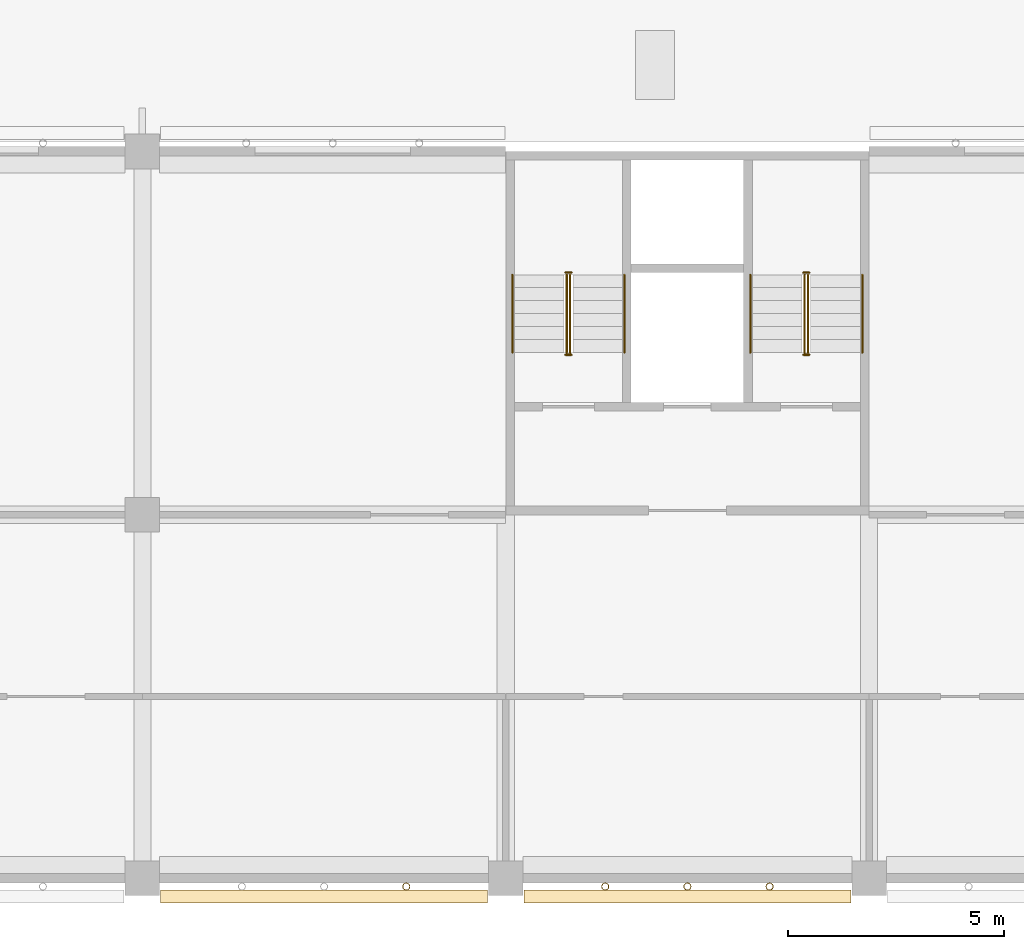
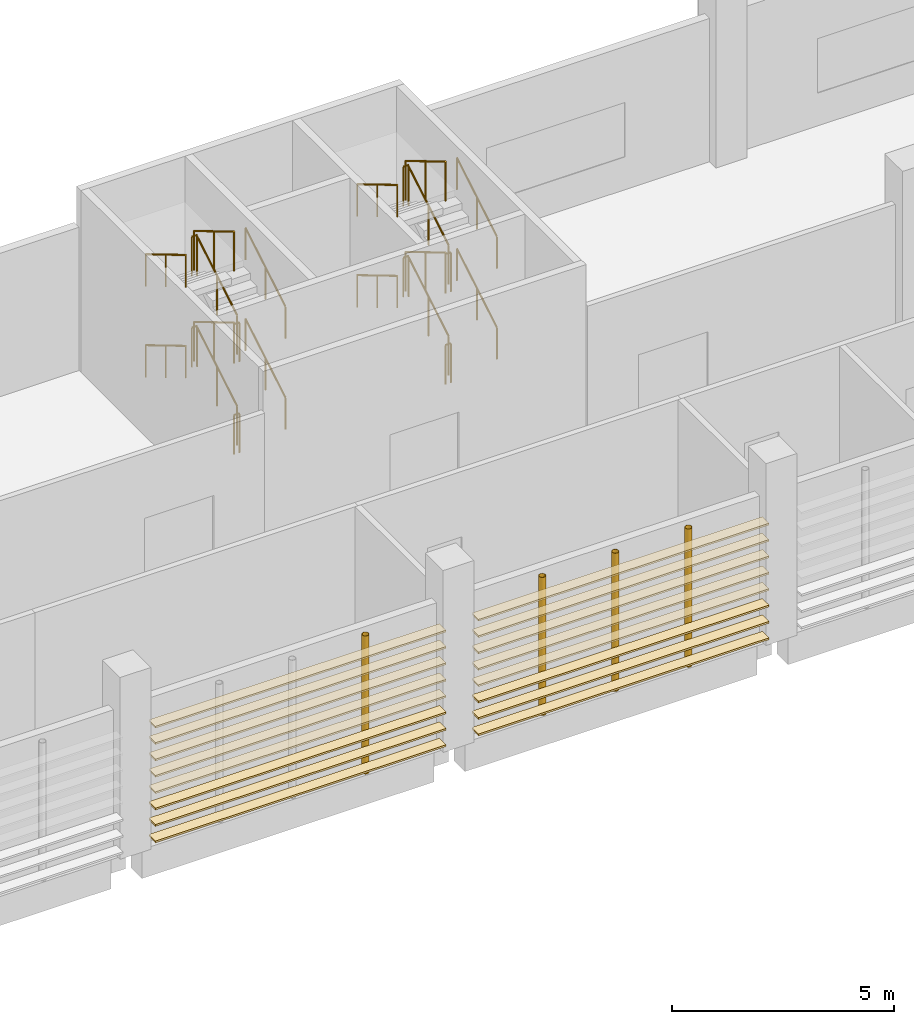
# One storey, part 64 of 101: 24 railings, 16 coverings, 4 shading devices.
"""IFC4 building model written with IfcOpenShell, lengths in metres."""

from ifc_helpers import new_model, si_unit, direction, frame, origin, origin_2d, place, context, subcontext, project, spatial, rectangle, circle, hollow_circle, extrude, material, material_profile, profile_set, type_object, element, save


model = new_model("IFC4")

# Units and contexts
model_context = context("Model", 3, precision=1e-05, world=origin(), true_north=direction((0.0, 1.0)))
body_context = subcontext(model_context, "Body", "Model", "MODEL_VIEW")
ifc_project = project(units=[si_unit("LENGTHUNIT", "METRE"), si_unit("AREAUNIT", "SQUARE_METRE"), si_unit("VOLUMEUNIT", "CUBIC_METRE"), si_unit("PLANEANGLEUNIT", "RADIAN"), si_unit("MASSUNIT", "GRAM", prefix="KILO")], contexts=[model_context])

# Site, building, storey
site_placement = place(None, origin())
site = spatial("IfcSite", under=ifc_project, at=site_placement, CompositionType="ELEMENT")
building_placement = place(site_placement, origin())
building = spatial("IfcBuilding", under=site, at=building_placement, Name="Almond Square Museum", CompositionType="ELEMENT")
storey_placement = place(building_placement, frame((0.0, 0.0, 5.5)))
storey = spatial("IfcBuildingStorey", under=building, at=storey_placement, Name="L01", CompositionType="ELEMENT", Elevation=5.5)

# Shading devices
ifc_material_1 = material(Name="Structural steel S355", Category="steel")
ifc_material_profile_1 = material_profile(ifc_material_1, hollow_circle(Radius=0.084228515625, WallThickness=0.008056640625, at=origin_2d()))
ifc_profile_set_1 = profile_set([ifc_material_profile_1], Name="Structural steel S355")
shading_device_type = type_object("IfcShadingDeviceType", Name="Louvre post CHS 168.3 x 8", PredefinedType="USERDEFINED", material=ifc_profile_set_1)
for number, where, z_axis, x_axis, name in (
    (1, (54.10009765625, -0.194091796875, 0.0), (0.0, 0.0, 1.0), (1.0, 0.0, 0.0), "Louvre screen post"),
    (2, (58.699951171875, -0.194091796875, 0.0), (0.0, 0.0, 1.0), (1.0, 0.0, 0.0), "Louvre screen post"),
    (3, (60.60009765625, -0.194091796875, 0.0), (0.0, 0.0, 1.0), (1.0, 0.0, 0.0), "Louvre screen post"),
    (4, (62.5, -0.194091796875, 0.0), (0.0, 0.0, 1.0), (1.0, 0.0, 0.0), "Louvre screen post"),
):
    element("IfcShadingDevice", number, at=place(storey_placement, frame(where, z_axis=z_axis, x_axis=x_axis)), inside=storey, type_object=shading_device_type, Name=name, ObjectType="POST", PredefinedType="USERDEFINED", context=body_context, shape_type="SweptSolid", body=[
        extrude(hollow_circle(Radius=0.084228515625, WallThickness=0.008056640625, at=origin_2d()), origin(), (0.0, 0.0, 1.0), 3.800048828125),
    ])

# Coverings
ifc_material_2 = material(Name="Cedar timber louvre board", Category="wood")
ifc_material_profile_2 = material_profile(ifc_material_2, rectangle(XDim=0.300048828125, YDim=0.050048828125, at=origin_2d()))
ifc_profile_set_2 = profile_set([ifc_material_profile_2], Name="Cedar timber louvre board")
covering_type = type_object("IfcCoveringType", Name="Louvre screen board 300 x 50", PredefinedType="CLADDING", material=ifc_profile_set_2)
for number, where, z_axis, x_axis, name in (
    (5, (48.419921875, -0.42431640625, 0.300048828125), (1.0, 0.0, 0.0), (0.0, 1.0, 0.0), "Louvre screen board"),
    (6, (48.419921875, -0.42431640625, 0.75), (1.0, 0.0, 0.0), (0.0, 1.0, 0.0), "Louvre screen board"),
    (7, (48.419921875, -0.42431640625, 1.199951171875), (1.0, 0.0, 0.0), (0.0, 1.0, 0.0), "Louvre screen board"),
    (8, (48.419921875, -0.42431640625, 1.64990234375), (1.0, 0.0, 0.0), (0.0, 1.0, 0.0), "Louvre screen board"),
    (9, (48.419921875, -0.42431640625, 2.10009765625), (1.0, 0.0, 0.0), (0.0, 1.0, 0.0), "Louvre screen board"),
    (10, (48.419921875, -0.42431640625, 2.550048828125), (1.0, 0.0, 0.0), (0.0, 1.0, 0.0), "Louvre screen board"),
    (11, (48.419921875, -0.42431640625, 3.0), (1.0, 0.0, 0.0), (0.0, 1.0, 0.0), "Louvre screen board"),
    (12, (48.419921875, -0.42431640625, 3.449951171875), (1.0, 0.0, 0.0), (0.0, 1.0, 0.0), "Louvre screen board"),
):
    element("IfcCovering", number, at=place(storey_placement, frame(where, z_axis=z_axis, x_axis=x_axis)), inside=storey, type_object=covering_type, Name=name, PredefinedType="CLADDING", context=body_context, shape_type="SweptSolid", body=[
        extrude(rectangle(XDim=0.300048828125, YDim=0.050048828125, at=origin_2d()), origin(), (0.0, 0.0, 1.0), 7.56005859375),
    ])
for number, where, z_axis, x_axis, name in (
    (13, (56.820068359375, -0.42431640625, 0.300048828125), (1.0, 0.0, 0.0), (0.0, 1.0, 0.0), "Louvre screen board"),
    (14, (56.820068359375, -0.42431640625, 0.75), (1.0, 0.0, 0.0), (0.0, 1.0, 0.0), "Louvre screen board"),
    (15, (56.820068359375, -0.42431640625, 1.199951171875), (1.0, 0.0, 0.0), (0.0, 1.0, 0.0), "Louvre screen board"),
    (16, (56.820068359375, -0.42431640625, 1.64990234375), (1.0, 0.0, 0.0), (0.0, 1.0, 0.0), "Louvre screen board"),
    (17, (56.820068359375, -0.42431640625, 2.10009765625), (1.0, 0.0, 0.0), (0.0, 1.0, 0.0), "Louvre screen board"),
    (18, (56.820068359375, -0.42431640625, 2.550048828125), (1.0, 0.0, 0.0), (0.0, 1.0, 0.0), "Louvre screen board"),
    (19, (56.820068359375, -0.42431640625, 3.0), (1.0, 0.0, 0.0), (0.0, 1.0, 0.0), "Louvre screen board"),
    (20, (56.820068359375, -0.42431640625, 3.449951171875), (1.0, 0.0, 0.0), (0.0, 1.0, 0.0), "Louvre screen board"),
):
    element("IfcCovering", number, at=place(storey_placement, frame(where, z_axis=z_axis, x_axis=x_axis)), inside=storey, type_object=covering_type, Name=name, PredefinedType="CLADDING", context=body_context, shape_type="SweptSolid", body=[
        extrude(rectangle(XDim=0.300048828125, YDim=0.050048828125, at=origin_2d()), origin(), (0.0, 0.0, 1.0), 7.559814453125),
    ])

# Railings
ifc_material_3 = material(Name="Stainless steel and laminated glass", Category="steel")
railing_type_1 = type_object("IfcRailingType", Name="Stair guard 1100 steel and glass", PredefinedType="GUARDRAIL", material=ifc_material_3)
railing_1_placement = place(storey_placement, frame((57.889892578125, 12.14990234375, 0.178466796875)))
element("IfcRailing", 21, at=railing_1_placement, inside=storey, type_object=railing_type_1, Name="L01 ST-29 stair guard 1", PredefinedType="GUARDRAIL", context=body_context, shape_type="SweptSolid", body=[
    extrude(circle(Radius=0.02392578125, at=origin_2d()), frame((0.0, 0.0, 1.076171875), z_axis=(0.0, 0.859277029364, 0.511510495305), x_axis=(-1.0, 0.0, 0.0)), (0.0, 0.0, 1.0), 2.0947265625),
    extrude(circle(Radius=0.02099609375, at=origin_2d()), origin(), (0.0, 0.0, 1.0), 1.052001953125),
    extrude(circle(Radius=0.02099609375, at=origin_2d()), frame((0.0, 0.89990234375, 0.53564453125)), (0.0, 0.0, 1.0), 1.052001953125),
    extrude(circle(Radius=0.02099609375, at=origin_2d()), frame((0.0, 1.800048828125, 1.071533203125)), (0.0, 0.0, 1.0), 1.052001953125),
])
railing_2_placement = place(storey_placement, frame((57.919921875, 14.0, 1.25)))
element("IfcRailing", 22, at=railing_2_placement, inside=storey, type_object=railing_type_1, Name="L01 ST-29 stair guard 2", PredefinedType="GUARDRAIL", context=body_context, shape_type="SweptSolid", body=[
    extrude(circle(Radius=0.02392578125, at=origin_2d()), frame((0.0, 0.0, 1.076171875), z_axis=(-1.0, 0.0, 0.0), x_axis=(0.0, -1.0, 0.0)), (0.0, 0.0, 1.0), 0.139892578125),
    extrude(circle(Radius=0.02099609375, at=origin_2d()), origin(), (0.0, 0.0, 1.0), 1.052001953125),
    extrude(circle(Radius=0.02099609375, at=origin_2d()), frame((-0.139892578125, 0.0, 0.0)), (0.0, 0.0, 1.0), 1.052001953125),
])
railing_3_placement = place(storey_placement, frame((57.81005859375, 13.949951171875, 1.428466796875)))
element("IfcRailing", 23, at=railing_3_placement, inside=storey, type_object=railing_type_1, Name="L01 ST-29 stair guard 3", PredefinedType="GUARDRAIL", context=body_context, shape_type="SweptSolid", body=[
    extrude(circle(Radius=0.02392578125, at=origin_2d()), frame((0.0, 0.0, 1.076171875), z_axis=(0.0, -0.859277029364, 0.511510495305), x_axis=(1.0, 0.0, 0.0)), (0.0, 0.0, 1.0), 2.0947265625),
    extrude(circle(Radius=0.02099609375, at=origin_2d()), origin(), (0.0, 0.0, 1.0), 1.052001953125),
    extrude(circle(Radius=0.02099609375, at=origin_2d()), frame((0.0, -0.89990234375, 0.53564453125)), (0.0, 0.0, 1.0), 1.052001953125),
    extrude(circle(Radius=0.02099609375, at=origin_2d()), frame((0.0, -1.800048828125, 1.071533203125)), (0.0, 0.0, 1.0), 1.052001953125),
])
railing_4_placement = place(storey_placement, frame((57.919921875, 12.10009765625, 2.5)))
element("IfcRailing", 24, at=railing_4_placement, inside=storey, type_object=railing_type_1, Name="L01 ST-29 stair guard 4", PredefinedType="GUARDRAIL", context=body_context, shape_type="SweptSolid", body=[
    extrude(circle(Radius=0.02392578125, at=origin_2d()), frame((0.0, 0.0, 1.076171875), z_axis=(-1.0, 0.0, 0.0), x_axis=(0.0, -1.0, 0.0)), (0.0, 0.0, 1.0), 0.139892578125),
    extrude(circle(Radius=0.02099609375, at=origin_2d()), origin(), (0.0, 0.0, 1.0), 1.052001953125),
    extrude(circle(Radius=0.02099609375, at=origin_2d()), frame((-0.139892578125, 0.0, 0.0)), (0.0, 0.0, 1.0), 1.052001953125),
])
railing_5_placement = place(storey_placement, frame((57.889892578125, 12.14990234375, 2.678466796875)))
element("IfcRailing", 25, at=railing_5_placement, inside=storey, type_object=railing_type_1, Name="L01 ST-29 stair guard 5", PredefinedType="GUARDRAIL", context=body_context, shape_type="SweptSolid", body=[
    extrude(circle(Radius=0.02392578125, at=origin_2d()), frame((0.0, 0.0, 1.076171875), z_axis=(0.0, 0.859277029364, 0.511510495305), x_axis=(-1.0, 0.0, 0.0)), (0.0, 0.0, 1.0), 2.0947265625),
    extrude(circle(Radius=0.02099609375, at=origin_2d()), origin(), (0.0, 0.0, 1.0), 1.052001953125),
    extrude(circle(Radius=0.02099609375, at=origin_2d()), frame((0.0, 0.89990234375, 0.53564453125)), (0.0, 0.0, 1.0), 1.052001953125),
    extrude(circle(Radius=0.02099609375, at=origin_2d()), frame((0.0, 1.800048828125, 1.071533203125)), (0.0, 0.0, 1.0), 1.052001953125),
])
railing_6_placement = place(storey_placement, frame((57.919921875, 14.0, 3.75)))
element("IfcRailing", 26, at=railing_6_placement, inside=storey, type_object=railing_type_1, Name="L01 ST-29 stair guard 6", PredefinedType="GUARDRAIL", context=body_context, shape_type="SweptSolid", body=[
    extrude(circle(Radius=0.02392578125, at=origin_2d()), frame((0.0, 0.0, 1.076171875), z_axis=(-1.0, 0.0, 0.0), x_axis=(0.0, -1.0, 0.0)), (0.0, 0.0, 1.0), 0.139892578125),
    extrude(circle(Radius=0.02099609375, at=origin_2d()), origin(), (0.0, 0.0, 1.0), 1.052001953125),
    extrude(circle(Radius=0.02099609375, at=origin_2d()), frame((-0.139892578125, 0.0, 0.0)), (0.0, 0.0, 1.0), 1.052001953125),
])
railing_7_placement = place(storey_placement, frame((57.81005859375, 13.949951171875, 3.928466796875)))
element("IfcRailing", 27, at=railing_7_placement, inside=storey, type_object=railing_type_1, Name="L01 ST-29 stair guard 7", PredefinedType="GUARDRAIL", context=body_context, shape_type="SweptSolid", body=[
    extrude(circle(Radius=0.02392578125, at=origin_2d()), frame((0.0, 0.0, 1.076171875), z_axis=(0.0, -0.859277029364, 0.511510495305), x_axis=(1.0, 0.0, 0.0)), (0.0, 0.0, 1.0), 2.0947265625),
    extrude(circle(Radius=0.02099609375, at=origin_2d()), origin(), (0.0, 0.0, 1.0), 1.052001953125),
    extrude(circle(Radius=0.02099609375, at=origin_2d()), frame((0.0, -0.89990234375, 0.53564453125)), (0.0, 0.0, 1.0), 1.052001953125),
    extrude(circle(Radius=0.02099609375, at=origin_2d()), frame((0.0, -1.800048828125, 1.071533203125)), (0.0, 0.0, 1.0), 1.052001953125),
])
railing_8_placement = place(storey_placement, frame((57.919921875, 12.10009765625, 0.0)))
element("IfcRailing", 28, at=railing_8_placement, inside=storey, type_object=railing_type_1, Name="L01 ST-29 stair guard 8", PredefinedType="GUARDRAIL", context=body_context, shape_type="SweptSolid", body=[
    extrude(circle(Radius=0.02392578125, at=origin_2d()), frame((0.0, 0.0, 1.076171875), z_axis=(-1.0, 0.0, 0.0), x_axis=(0.0, -1.0, 0.0)), (0.0, 0.0, 1.0), 0.139892578125),
    extrude(circle(Radius=0.02099609375, at=origin_2d()), origin(), (0.0, 0.0, 1.0), 1.052001953125),
    extrude(circle(Radius=0.02099609375, at=origin_2d()), frame((-0.139892578125, 0.0, 0.0)), (0.0, 0.0, 1.0), 1.052001953125),
])
railing_9_placement = place(storey_placement, frame((63.389892578125, 12.14990234375, 0.178466796875)))
element("IfcRailing", 29, at=railing_9_placement, inside=storey, type_object=railing_type_1, Name="L01 ST-30 stair guard 1", PredefinedType="GUARDRAIL", context=body_context, shape_type="SweptSolid", body=[
    extrude(circle(Radius=0.02392578125, at=origin_2d()), frame((0.0, 0.0, 1.076171875), z_axis=(0.0, 0.859277029364, 0.511510495305), x_axis=(-1.0, 0.0, 0.0)), (0.0, 0.0, 1.0), 2.0947265625),
    extrude(circle(Radius=0.02099609375, at=origin_2d()), origin(), (0.0, 0.0, 1.0), 1.052001953125),
    extrude(circle(Radius=0.02099609375, at=origin_2d()), frame((0.0, 0.89990234375, 0.53564453125)), (0.0, 0.0, 1.0), 1.052001953125),
    extrude(circle(Radius=0.02099609375, at=origin_2d()), frame((0.0, 1.800048828125, 1.071533203125)), (0.0, 0.0, 1.0), 1.052001953125),
])
railing_10_placement = place(storey_placement, frame((63.419921875, 14.0, 1.25)))
element("IfcRailing", 30, at=railing_10_placement, inside=storey, type_object=railing_type_1, Name="L01 ST-30 stair guard 2", PredefinedType="GUARDRAIL", context=body_context, shape_type="SweptSolid", body=[
    extrude(circle(Radius=0.02392578125, at=origin_2d()), frame((0.0, 0.0, 1.076171875), z_axis=(-1.0, 0.0, 0.0), x_axis=(0.0, -1.0, 0.0)), (0.0, 0.0, 1.0), 0.139892578125),
    extrude(circle(Radius=0.02099609375, at=origin_2d()), origin(), (0.0, 0.0, 1.0), 1.052001953125),
    extrude(circle(Radius=0.02099609375, at=origin_2d()), frame((-0.139892578125, 0.0, 0.0)), (0.0, 0.0, 1.0), 1.052001953125),
])
railing_11_placement = place(storey_placement, frame((63.31005859375, 13.949951171875, 1.428466796875)))
element("IfcRailing", 31, at=railing_11_placement, inside=storey, type_object=railing_type_1, Name="L01 ST-30 stair guard 3", PredefinedType="GUARDRAIL", context=body_context, shape_type="SweptSolid", body=[
    extrude(circle(Radius=0.02392578125, at=origin_2d()), frame((0.0, 0.0, 1.076171875), z_axis=(0.0, -0.859277029364, 0.511510495305), x_axis=(1.0, 0.0, 0.0)), (0.0, 0.0, 1.0), 2.0947265625),
    extrude(circle(Radius=0.02099609375, at=origin_2d()), origin(), (0.0, 0.0, 1.0), 1.052001953125),
    extrude(circle(Radius=0.02099609375, at=origin_2d()), frame((0.0, -0.89990234375, 0.53564453125)), (0.0, 0.0, 1.0), 1.052001953125),
    extrude(circle(Radius=0.02099609375, at=origin_2d()), frame((0.0, -1.800048828125, 1.071533203125)), (0.0, 0.0, 1.0), 1.052001953125),
])
railing_12_placement = place(storey_placement, frame((63.419921875, 12.10009765625, 2.5)))
element("IfcRailing", 32, at=railing_12_placement, inside=storey, type_object=railing_type_1, Name="L01 ST-30 stair guard 4", PredefinedType="GUARDRAIL", context=body_context, shape_type="SweptSolid", body=[
    extrude(circle(Radius=0.02392578125, at=origin_2d()), frame((0.0, 0.0, 1.076171875), z_axis=(-1.0, 0.0, 0.0), x_axis=(0.0, -1.0, 0.0)), (0.0, 0.0, 1.0), 0.139892578125),
    extrude(circle(Radius=0.02099609375, at=origin_2d()), origin(), (0.0, 0.0, 1.0), 1.052001953125),
    extrude(circle(Radius=0.02099609375, at=origin_2d()), frame((-0.139892578125, 0.0, 0.0)), (0.0, 0.0, 1.0), 1.052001953125),
])
railing_13_placement = place(storey_placement, frame((63.389892578125, 12.14990234375, 2.678466796875)))
element("IfcRailing", 33, at=railing_13_placement, inside=storey, type_object=railing_type_1, Name="L01 ST-30 stair guard 5", PredefinedType="GUARDRAIL", context=body_context, shape_type="SweptSolid", body=[
    extrude(circle(Radius=0.02392578125, at=origin_2d()), frame((0.0, 0.0, 1.076171875), z_axis=(0.0, 0.859277029364, 0.511510495305), x_axis=(-1.0, 0.0, 0.0)), (0.0, 0.0, 1.0), 2.0947265625),
    extrude(circle(Radius=0.02099609375, at=origin_2d()), origin(), (0.0, 0.0, 1.0), 1.052001953125),
    extrude(circle(Radius=0.02099609375, at=origin_2d()), frame((0.0, 0.89990234375, 0.53564453125)), (0.0, 0.0, 1.0), 1.052001953125),
    extrude(circle(Radius=0.02099609375, at=origin_2d()), frame((0.0, 1.800048828125, 1.071533203125)), (0.0, 0.0, 1.0), 1.052001953125),
])
railing_14_placement = place(storey_placement, frame((63.419921875, 14.0, 3.75)))
element("IfcRailing", 34, at=railing_14_placement, inside=storey, type_object=railing_type_1, Name="L01 ST-30 stair guard 6", PredefinedType="GUARDRAIL", context=body_context, shape_type="SweptSolid", body=[
    extrude(circle(Radius=0.02392578125, at=origin_2d()), frame((0.0, 0.0, 1.076171875), z_axis=(-1.0, 0.0, 0.0), x_axis=(0.0, -1.0, 0.0)), (0.0, 0.0, 1.0), 0.139892578125),
    extrude(circle(Radius=0.02099609375, at=origin_2d()), origin(), (0.0, 0.0, 1.0), 1.052001953125),
    extrude(circle(Radius=0.02099609375, at=origin_2d()), frame((-0.139892578125, 0.0, 0.0)), (0.0, 0.0, 1.0), 1.052001953125),
])
railing_15_placement = place(storey_placement, frame((63.31005859375, 13.949951171875, 3.928466796875)))
element("IfcRailing", 35, at=railing_15_placement, inside=storey, type_object=railing_type_1, Name="L01 ST-30 stair guard 7", PredefinedType="GUARDRAIL", context=body_context, shape_type="SweptSolid", body=[
    extrude(circle(Radius=0.02392578125, at=origin_2d()), frame((0.0, 0.0, 1.076171875), z_axis=(0.0, -0.859277029364, 0.511510495305), x_axis=(1.0, 0.0, 0.0)), (0.0, 0.0, 1.0), 2.0947265625),
    extrude(circle(Radius=0.02099609375, at=origin_2d()), origin(), (0.0, 0.0, 1.0), 1.052001953125),
    extrude(circle(Radius=0.02099609375, at=origin_2d()), frame((0.0, -0.89990234375, 0.53564453125)), (0.0, 0.0, 1.0), 1.052001953125),
    extrude(circle(Radius=0.02099609375, at=origin_2d()), frame((0.0, -1.800048828125, 1.071533203125)), (0.0, 0.0, 1.0), 1.052001953125),
])
railing_16_placement = place(storey_placement, frame((63.419921875, 12.10009765625, 0.0)))
element("IfcRailing", 36, at=railing_16_placement, inside=storey, type_object=railing_type_1, Name="L01 ST-30 stair guard 8", PredefinedType="GUARDRAIL", context=body_context, shape_type="SweptSolid", body=[
    extrude(circle(Radius=0.02392578125, at=origin_2d()), frame((0.0, 0.0, 1.076171875), z_axis=(-1.0, 0.0, 0.0), x_axis=(0.0, -1.0, 0.0)), (0.0, 0.0, 1.0), 0.139892578125),
    extrude(circle(Radius=0.02099609375, at=origin_2d()), origin(), (0.0, 0.0, 1.0), 1.052001953125),
    extrude(circle(Radius=0.02099609375, at=origin_2d()), frame((-0.139892578125, 0.0, 0.0)), (0.0, 0.0, 1.0), 1.052001953125),
])
ifc_material_4 = material(Name="Stainless steel", Category="steel")
railing_type_2 = type_object("IfcRailingType", Name="Stair handrail 900 steel", PredefinedType="HANDRAIL", material=ifc_material_4)
railing_17_placement = place(storey_placement, frame((59.14501953125, 12.14990234375, 0.178466796875)))
element("IfcRailing", 37, at=railing_17_placement, inside=storey, type_object=railing_type_2, Name="L01 ST-29 stair handrail 1", PredefinedType="HANDRAIL", context=body_context, shape_type="SweptSolid", body=[
    extrude(circle(Radius=0.02392578125, at=origin_2d()), frame((0.0, 0.0, 0.8759765625), z_axis=(0.0, 0.859277029364, 0.511510495305), x_axis=(-1.0, 0.0, 0.0)), (0.0, 0.0, 1.0), 2.0947265625),
    extrude(circle(Radius=0.02099609375, at=origin_2d()), origin(), (0.0, 0.0, 1.0), 0.851806640625),
    extrude(circle(Radius=0.02099609375, at=origin_2d()), frame((0.0, 0.89990234375, 0.53564453125)), (0.0, 0.0, 1.0), 0.851806640625),
    extrude(circle(Radius=0.02099609375, at=origin_2d()), frame((0.0, 1.800048828125, 1.071533203125)), (0.0, 0.0, 1.0), 0.851806640625),
])
railing_18_placement = place(storey_placement, frame((56.554931640625, 13.949951171875, 1.428466796875)))
element("IfcRailing", 38, at=railing_18_placement, inside=storey, type_object=railing_type_2, Name="L01 ST-29 stair handrail 2", PredefinedType="HANDRAIL", context=body_context, shape_type="SweptSolid", body=[
    extrude(circle(Radius=0.02392578125, at=origin_2d()), frame((0.0, 0.0, 0.8759765625), z_axis=(0.0, -0.859277029364, 0.511510495305), x_axis=(1.0, 0.0, 0.0)), (0.0, 0.0, 1.0), 2.0947265625),
    extrude(circle(Radius=0.02099609375, at=origin_2d()), origin(), (0.0, 0.0, 1.0), 0.851806640625),
    extrude(circle(Radius=0.02099609375, at=origin_2d()), frame((0.0, -0.89990234375, 0.53564453125)), (0.0, 0.0, 1.0), 0.851806640625),
    extrude(circle(Radius=0.02099609375, at=origin_2d()), frame((0.0, -1.800048828125, 1.071533203125)), (0.0, 0.0, 1.0), 0.851806640625),
])
railing_19_placement = place(storey_placement, frame((59.14501953125, 12.14990234375, 2.678466796875)))
element("IfcRailing", 39, at=railing_19_placement, inside=storey, type_object=railing_type_2, Name="L01 ST-29 stair handrail 3", PredefinedType="HANDRAIL", context=body_context, shape_type="SweptSolid", body=[
    extrude(circle(Radius=0.02392578125, at=origin_2d()), frame((0.0, 0.0, 0.8759765625), z_axis=(0.0, 0.859277029364, 0.511510495305), x_axis=(-1.0, 0.0, 0.0)), (0.0, 0.0, 1.0), 2.0947265625),
    extrude(circle(Radius=0.02099609375, at=origin_2d()), origin(), (0.0, 0.0, 1.0), 0.851806640625),
    extrude(circle(Radius=0.02099609375, at=origin_2d()), frame((0.0, 0.89990234375, 0.53564453125)), (0.0, 0.0, 1.0), 0.851806640625),
    extrude(circle(Radius=0.02099609375, at=origin_2d()), frame((0.0, 1.800048828125, 1.071533203125)), (0.0, 0.0, 1.0), 0.851806640625),
])
railing_20_placement = place(storey_placement, frame((56.554931640625, 13.949951171875, 3.928466796875)))
element("IfcRailing", 40, at=railing_20_placement, inside=storey, type_object=railing_type_2, Name="L01 ST-29 stair handrail 4", PredefinedType="HANDRAIL", context=body_context, shape_type="SweptSolid", body=[
    extrude(circle(Radius=0.02392578125, at=origin_2d()), frame((0.0, 0.0, 0.8759765625), z_axis=(0.0, -0.859277029364, 0.511510495305), x_axis=(1.0, 0.0, 0.0)), (0.0, 0.0, 1.0), 2.0947265625),
    extrude(circle(Radius=0.02099609375, at=origin_2d()), origin(), (0.0, 0.0, 1.0), 0.851806640625),
    extrude(circle(Radius=0.02099609375, at=origin_2d()), frame((0.0, -0.89990234375, 0.53564453125)), (0.0, 0.0, 1.0), 0.851806640625),
    extrude(circle(Radius=0.02099609375, at=origin_2d()), frame((0.0, -1.800048828125, 1.071533203125)), (0.0, 0.0, 1.0), 0.851806640625),
])
railing_21_placement = place(storey_placement, frame((64.64501953125, 12.14990234375, 0.178466796875)))
element("IfcRailing", 41, at=railing_21_placement, inside=storey, type_object=railing_type_2, Name="L01 ST-30 stair handrail 1", PredefinedType="HANDRAIL", context=body_context, shape_type="SweptSolid", body=[
    extrude(circle(Radius=0.02392578125, at=origin_2d()), frame((0.0, 0.0, 0.8759765625), z_axis=(0.0, 0.859277029364, 0.511510495305), x_axis=(-1.0, 0.0, 0.0)), (0.0, 0.0, 1.0), 2.0947265625),
    extrude(circle(Radius=0.02099609375, at=origin_2d()), origin(), (0.0, 0.0, 1.0), 0.851806640625),
    extrude(circle(Radius=0.02099609375, at=origin_2d()), frame((0.0, 0.89990234375, 0.53564453125)), (0.0, 0.0, 1.0), 0.851806640625),
    extrude(circle(Radius=0.02099609375, at=origin_2d()), frame((0.0, 1.800048828125, 1.071533203125)), (0.0, 0.0, 1.0), 0.851806640625),
])
railing_22_placement = place(storey_placement, frame((62.054931640625, 13.949951171875, 1.428466796875)))
element("IfcRailing", 42, at=railing_22_placement, inside=storey, type_object=railing_type_2, Name="L01 ST-30 stair handrail 2", PredefinedType="HANDRAIL", context=body_context, shape_type="SweptSolid", body=[
    extrude(circle(Radius=0.02392578125, at=origin_2d()), frame((0.0, 0.0, 0.8759765625), z_axis=(0.0, -0.859277029364, 0.511510495305), x_axis=(1.0, 0.0, 0.0)), (0.0, 0.0, 1.0), 2.0947265625),
    extrude(circle(Radius=0.02099609375, at=origin_2d()), origin(), (0.0, 0.0, 1.0), 0.851806640625),
    extrude(circle(Radius=0.02099609375, at=origin_2d()), frame((0.0, -0.89990234375, 0.53564453125)), (0.0, 0.0, 1.0), 0.851806640625),
    extrude(circle(Radius=0.02099609375, at=origin_2d()), frame((0.0, -1.800048828125, 1.071533203125)), (0.0, 0.0, 1.0), 0.851806640625),
])
railing_23_placement = place(storey_placement, frame((64.64501953125, 12.14990234375, 2.678466796875)))
element("IfcRailing", 43, at=railing_23_placement, inside=storey, type_object=railing_type_2, Name="L01 ST-30 stair handrail 3", PredefinedType="HANDRAIL", context=body_context, shape_type="SweptSolid", body=[
    extrude(circle(Radius=0.02392578125, at=origin_2d()), frame((0.0, 0.0, 0.8759765625), z_axis=(0.0, 0.859277029364, 0.511510495305), x_axis=(-1.0, 0.0, 0.0)), (0.0, 0.0, 1.0), 2.0947265625),
    extrude(circle(Radius=0.02099609375, at=origin_2d()), origin(), (0.0, 0.0, 1.0), 0.851806640625),
    extrude(circle(Radius=0.02099609375, at=origin_2d()), frame((0.0, 0.89990234375, 0.53564453125)), (0.0, 0.0, 1.0), 0.851806640625),
    extrude(circle(Radius=0.02099609375, at=origin_2d()), frame((0.0, 1.800048828125, 1.071533203125)), (0.0, 0.0, 1.0), 0.851806640625),
])
railing_24_placement = place(storey_placement, frame((62.054931640625, 13.949951171875, 3.928466796875)))
element("IfcRailing", 44, at=railing_24_placement, inside=storey, type_object=railing_type_2, Name="L01 ST-30 stair handrail 4", PredefinedType="HANDRAIL", context=body_context, shape_type="SweptSolid", body=[
    extrude(circle(Radius=0.02392578125, at=origin_2d()), frame((0.0, 0.0, 0.8759765625), z_axis=(0.0, -0.859277029364, 0.511510495305), x_axis=(1.0, 0.0, 0.0)), (0.0, 0.0, 1.0), 2.0947265625),
    extrude(circle(Radius=0.02099609375, at=origin_2d()), origin(), (0.0, 0.0, 1.0), 0.851806640625),
    extrude(circle(Radius=0.02099609375, at=origin_2d()), frame((0.0, -0.89990234375, 0.53564453125)), (0.0, 0.0, 1.0), 0.851806640625),
    extrude(circle(Radius=0.02099609375, at=origin_2d()), frame((0.0, -1.800048828125, 1.071533203125)), (0.0, 0.0, 1.0), 0.851806640625),
])

save(model, "model.ifc")
